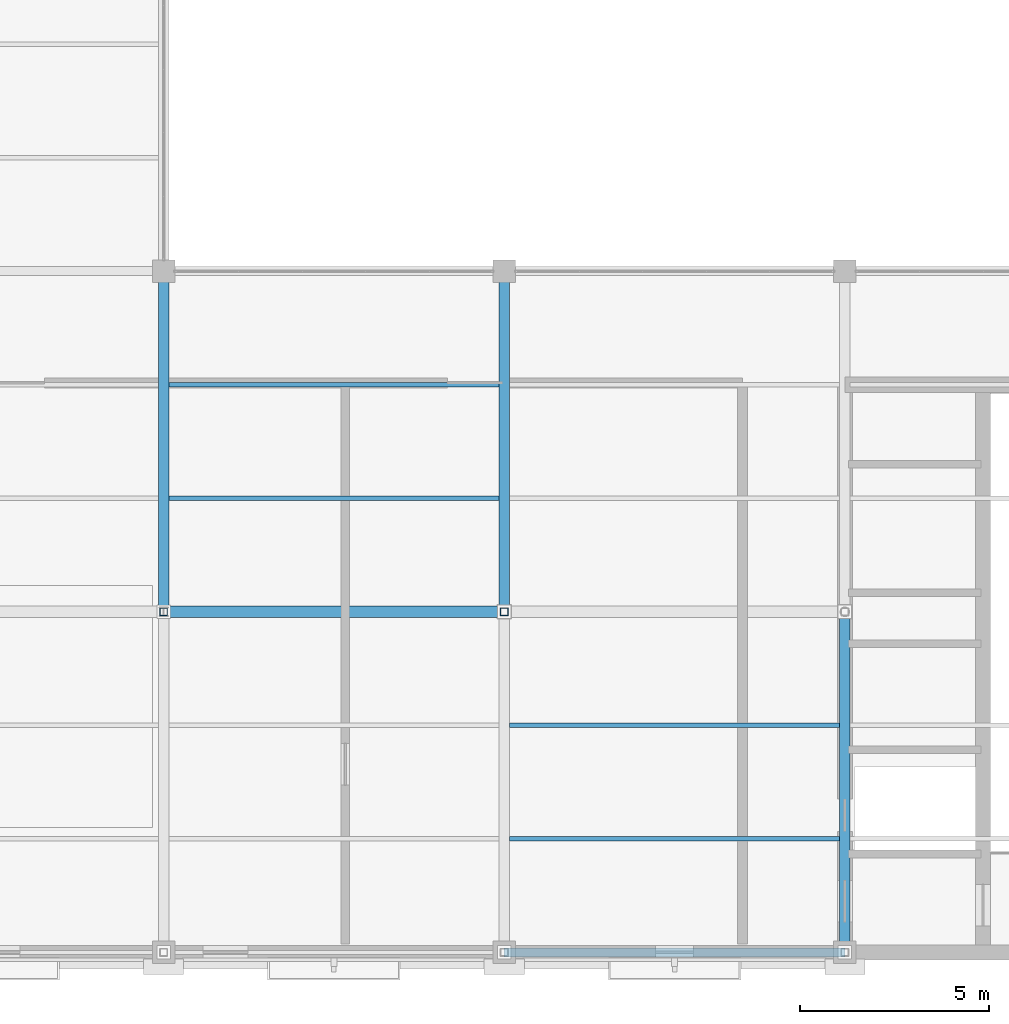
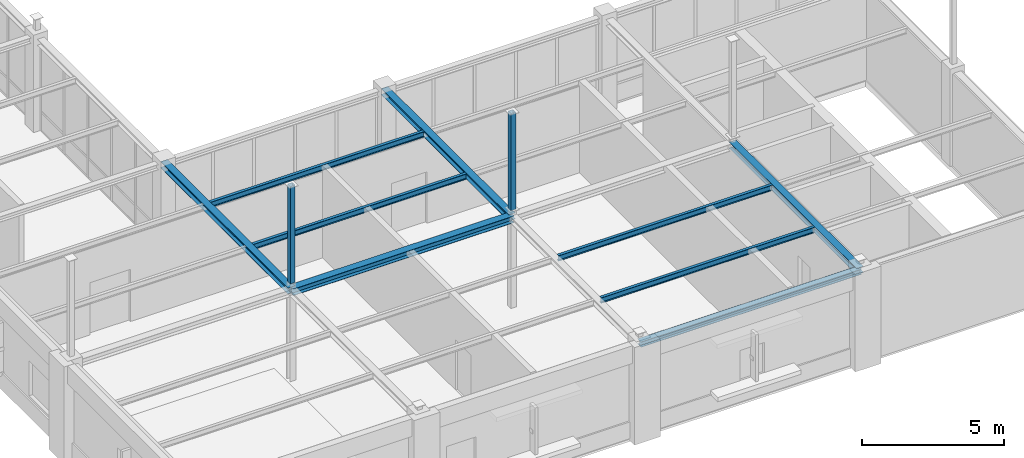
# One storey, part 41 of 97: 9 beams, 2 members.
"""IFC4 building model written with IfcOpenShell, lengths in metres."""

from ifc_helpers import new_model, si_unit, direction, frame, origin, origin_2d, place, context, subcontext, project, spatial, hollow_rectangle, i_section, extrude, material, material_profile, profile_set, type_object, element, save


model = new_model("IFC4")

# Units and contexts
model_context = context("Model", 3, precision=1e-05, world=origin(), true_north=direction((0.0, 1.0)))
body_context = subcontext(model_context, "Body", "Model", "MODEL_VIEW")
ifc_project = project(units=[si_unit("LENGTHUNIT", "METRE"), si_unit("AREAUNIT", "SQUARE_METRE"), si_unit("VOLUMEUNIT", "CUBIC_METRE"), si_unit("PLANEANGLEUNIT", "RADIAN"), si_unit("MASSUNIT", "GRAM", prefix="KILO")], contexts=[model_context])

# Site, building, storey
site_placement = place(None, origin())
site = spatial("IfcSite", under=ifc_project, at=site_placement, CompositionType="ELEMENT")
building_placement = place(site_placement, origin())
building = spatial("IfcBuilding", under=site, at=building_placement, Name="Lykobir Media Centre", CompositionType="ELEMENT")
storey_placement = place(building_placement, frame((0.0, 0.0, 23.39990234375)))
storey = spatial("IfcBuildingStorey", under=building, at=storey_placement, Name="L05", CompositionType="ELEMENT", Elevation=23.39990234375)

# Beams
ifc_material = material(Name="Steel S355", Category="steel")
ifc_material_profile_1 = material_profile(ifc_material, i_section(OverallWidth=0.280029296875, OverallDepth=0.27001953125, WebThickness=0.008056640625, FlangeThickness=0.012939453125, at=origin_2d()), Name="HEA 280")
ifc_profile_set_1 = profile_set([ifc_material_profile_1], Name="Steel S355")
beam_type_1 = type_object("IfcBeamType", Name="BM-HEA280", PredefinedType="BEAM", material=ifc_profile_set_1)
for number, where, z_axis, x_axis, name in (
    (1, (99.0, 9.0, 3.84521484375), (0.0, 1.0, 0.0), (-1.0, 0.0, 0.0), "Beam BM-L05-0990-0090-0990-0180-2724"),
    (2, (108.0, 9.0, 3.84521484375), (0.0, 1.0, 0.0), (-1.0, 0.0, 0.0), "Beam BM-L05-1080-0090-1080-0180-2724"),
    (3, (117.0, 0.0, 3.84521484375), (0.0, 1.0, 0.0), (-1.0, 0.0, 0.0), "Beam BM-L05-1170-0000-1170-0090-2724"),
):
    element("IfcBeam", number, at=place(storey_placement, frame(where, z_axis=z_axis, x_axis=x_axis)), inside=storey, type_object=beam_type_1, Name=name, PredefinedType="BEAM", context=body_context, shape_type="SweptSolid", body=[
        extrude(i_section(OverallWidth=0.280029296875, OverallDepth=0.27001953125, WebThickness=0.008056640625, FlangeThickness=0.012939453125, at=origin_2d()), origin(), (0.0, 0.0, 1.0), 9.0),
    ])
ifc_material_profile_2 = material_profile(ifc_material, i_section(OverallWidth=0.300048828125, OverallDepth=0.2900390625, WebThickness=0.008544921875, FlangeThickness=0.013916015625, at=origin_2d()), Name="HEA 300")
ifc_profile_set_2 = profile_set([ifc_material_profile_2], Name="Steel S355")
beam_type_2 = type_object("IfcBeamType", Name="BM-HEA300", PredefinedType="BEAM", material=ifc_profile_set_2)
beam_1_placement = place(storey_placement, frame((99.0, 9.0, 3.835205078125), z_axis=(1.0, 0.0, 0.0), x_axis=(0.0, 1.0, 0.0)))
element("IfcBeam", 4, at=beam_1_placement, inside=storey, type_object=beam_type_2, Name="Beam BM-L05-0990-0090-1080-0090-2724", PredefinedType="BEAM", context=body_context, shape_type="SweptSolid", body=[
    extrude(i_section(OverallWidth=0.300048828125, OverallDepth=0.2900390625, WebThickness=0.008544921875, FlangeThickness=0.013916015625, at=origin_2d()), origin(), (0.0, 0.0, 1.0), 9.0),
])
ifc_material_profile_3 = material_profile(ifc_material, i_section(OverallWidth=0.1201171875, OverallDepth=0.239990234375, WebThickness=0.006103515625, FlangeThickness=0.009765625, at=origin_2d()), Name="IPE 240")
ifc_profile_set_3 = profile_set([ifc_material_profile_3], Name="Steel S355")
beam_type_3 = type_object("IfcBeamType", Name="JS-IPE240", PredefinedType="JOIST", material=ifc_profile_set_3)
for number, where, z_axis, x_axis, name in (
    (5, (99.139892578125, 12.0, 3.860107421875), (1.0, 0.0, 0.0), (0.0, 1.0, 0.0), "Beam BM-L05-0991-0120-1079-0120-2726"),
    (6, (99.139892578125, 15.0, 3.860107421875), (1.0, 0.0, 0.0), (0.0, 1.0, 0.0), "Beam BM-L05-0991-0150-1079-0150-2726"),
    (7, (108.139892578125, 3.0, 3.860107421875), (1.0, 0.0, 0.0), (0.0, 1.0, 0.0), "Beam BM-L05-1081-0030-1169-0030-2726"),
    (8, (108.139892578125, 6.0, 3.860107421875), (1.0, 0.0, 0.0), (0.0, 1.0, 0.0), "Beam BM-L05-1081-0060-1169-0060-2726"),
):
    element("IfcBeam", number, at=place(storey_placement, frame(where, z_axis=z_axis, x_axis=x_axis)), inside=storey, type_object=beam_type_3, Name=name, PredefinedType="JOIST", context=body_context, shape_type="SweptSolid", body=[
        extrude(i_section(OverallWidth=0.1201171875, OverallDepth=0.239990234375, WebThickness=0.006103515625, FlangeThickness=0.009765625, at=origin_2d()), origin(), (0.0, 0.0, 1.0), 8.72021484375),
    ])
ifc_material_profile_4 = material_profile(ifc_material, i_section(OverallWidth=0.239990234375, OverallDepth=0.22998046875, WebThickness=0.007568359375, FlangeThickness=0.011962890625, at=origin_2d()), Name="HEA 240")
ifc_profile_set_4 = profile_set([ifc_material_profile_4], Name="Steel S355")
beam_type_4 = type_object("IfcBeamType", Name="SP-HEA240-E", PredefinedType="SPANDREL", material=ifc_profile_set_4)
beam_2_placement = place(storey_placement, frame((108.0, 0.0, 3.864990234375), z_axis=(1.0, 0.0, 0.0), x_axis=(0.0, 1.0, 0.0)))
element("IfcBeam", 9, at=beam_2_placement, inside=storey, type_object=beam_type_4, Name="Beam BM-L05-1080-0000-1170-0000-2726", PredefinedType="SPANDREL", context=body_context, shape_type="SweptSolid", body=[
    extrude(i_section(OverallWidth=0.239990234375, OverallDepth=0.22998046875, WebThickness=0.007568359375, FlangeThickness=0.011962890625, at=origin_2d()), origin(), (0.0, 0.0, 1.0), 9.0),
])

# Members
ifc_material_profile_5 = material_profile(ifc_material, hollow_rectangle(XDim=0.199951171875, YDim=0.199951171875, WallThickness=0.010009765625, at=origin_2d()), Name="SHS 200x200x10")
ifc_profile_set_5 = profile_set([ifc_material_profile_5], Name="Steel S355")
member_type = type_object("IfcMemberType", Name="TC-SHS200", PredefinedType="CHORD", material=ifc_profile_set_5)
for number, where, z_axis, x_axis, name in (
    (10, (99.0, 9.0, 4.2001953125), (0.0, 0.0, 1.0), (1.0, 0.0, 0.0), "Truss chord MEM2-L05-0990-0090-0276-0990-0090-0012"),
    (11, (108.0, 9.0, 4.2001953125), (0.0, 0.0, 1.0), (1.0, 0.0, 0.0), "Truss chord MEM2-L05-1080-0090-0276-1080-0090-0014"),
):
    element("IfcMember", number, at=place(storey_placement, frame(where, z_axis=z_axis, x_axis=x_axis)), inside=storey, type_object=member_type, Name=name, PredefinedType="CHORD", context=body_context, shape_type="SweptSolid", body=[
        extrude(hollow_rectangle(XDim=0.199951171875, YDim=0.199951171875, WallThickness=0.010009765625, at=origin_2d()), origin(), (0.0, 0.0, 1.0), 4.193603515625),
    ])

save(model, "model.ifc")
